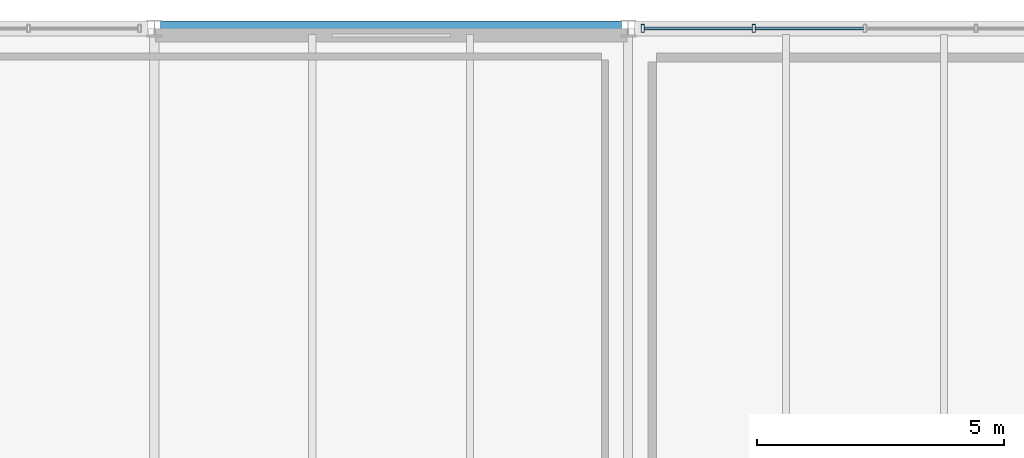
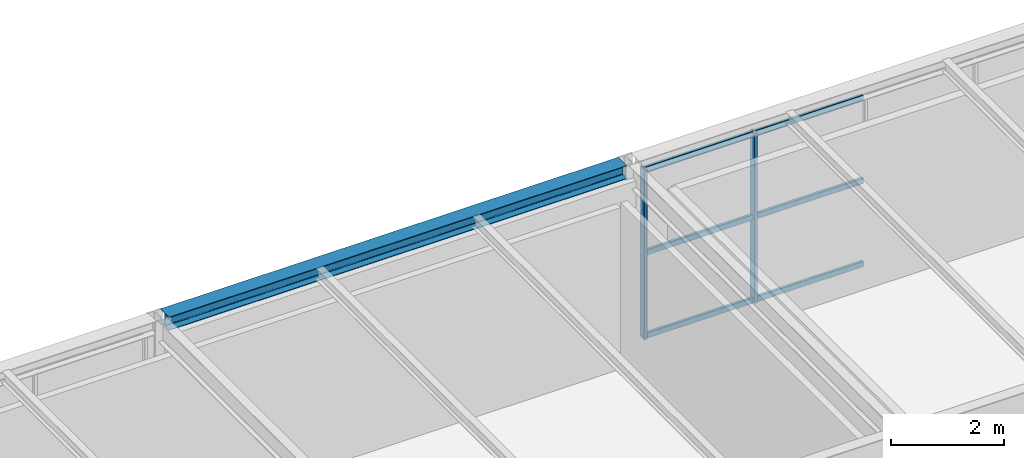
# One storey, part 75 of 126: 8 members, 1 beam, 1 element without a shape of its own.
"""IFC4 building model written with IfcOpenShell, lengths in metres."""

from ifc_helpers import new_model, si_unit, direction, frame, origin, origin_2d, place, context, subcontext, project, spatial, hollow_rectangle, i_section, extrude, material, material_profile, profile_set, type_object, element, aggregate, save


model = new_model("IFC4")

# Units and contexts
model_context = context("Model", 3, precision=1e-05, world=origin(), true_north=direction((0.0, 1.0)))
body_context = subcontext(model_context, "Body", "Model", "MODEL_VIEW")
ifc_project = project(units=[si_unit("LENGTHUNIT", "METRE"), si_unit("AREAUNIT", "SQUARE_METRE"), si_unit("VOLUMEUNIT", "CUBIC_METRE"), si_unit("PLANEANGLEUNIT", "RADIAN"), si_unit("MASSUNIT", "GRAM", prefix="KILO")], contexts=[model_context])

# Site, building, storey
site_placement = place(None, origin())
site = spatial("IfcSite", under=ifc_project, at=site_placement, CompositionType="ELEMENT")
building_placement = place(site_placement, origin())
building = spatial("IfcBuilding", under=site, at=building_placement, Name="Coralgate Yard Interchange", CompositionType="ELEMENT")
storey_placement = place(building_placement, frame((0.0, 0.0, 10.5)))
storey = spatial("IfcBuildingStorey", under=building, at=storey_placement, Name="L02", CompositionType="ELEMENT", Elevation=10.5)

# Beam
ifc_material_1 = material(Name="Structural steel S355J2", Category="steel")
ifc_material_profile_1 = material_profile(ifc_material_1, i_section(OverallWidth=0.300048828125, OverallDepth=0.2900390625, WebThickness=0.008544921875, FlangeThickness=0.013916015625, FilletRadius=0.027099609375, at=origin_2d()), Name="HEA 300")
ifc_profile_set_1 = profile_set([ifc_material_profile_1], Name="Structural steel S355J2")
beam_type = type_object("IfcBeamType", Name="BM-SP-2", PredefinedType="SPANDREL", material=ifc_profile_set_1)
beam_placement = place(storey_placement, frame((48.127197265625, 96.0, 3.804931640625), z_axis=(1.0, 0.0, 0.0), x_axis=(0.0, 1.0, 0.0)))
element("IfcBeam", 1, at=beam_placement, inside=storey, type_object=beam_type, Name="L02 primary grid beam Y10 X5-6", PredefinedType="SPANDREL", context=body_context, shape_type="SweptSolid", body=[
    extrude(i_section(OverallWidth=0.300048828125, OverallDepth=0.2900390625, WebThickness=0.008544921875, FlangeThickness=0.013916015625, FilletRadius=0.027099609375, at=origin_2d()), origin(), (0.0, 0.0, 1.0), 9.345458984375),
])

# Curtain wall, members
ifc_material_2 = material(Name="Anodised coastal aluminium and solar-control low-E glass", Category="aluminium")
curtain_wall_type = type_object("IfcCurtainWallType", Name="CW-CW-L02-A", PredefinedType="NOTDEFINED", material=ifc_material_2)
curtain_wall_placement = place(storey_placement, origin())
curtain_wall = element("IfcCurtainWall", 2, at=curtain_wall_placement, inside=storey, type_object=curtain_wall_type, Name="L02 unitised curtain wall CW-L02-N-06-09", PredefinedType="NOTDEFINED")
ifc_material_3 = material(Name="Anodised coastal aluminium 6063-T6", Category="aluminium")
ifc_material_profile_2 = material_profile(ifc_material_3, hollow_rectangle(XDim=0.06494140625, YDim=0.159912109375, WallThickness=0.00390625, InnerFilletRadius=0.00390625, OuterFilletRadius=0.008056640625, at=origin_2d()), Name="ALU 65x160x4")
ifc_profile_set_2 = profile_set([ifc_material_profile_2], Name="Anodised coastal aluminium 6063-T6")
member_type_1 = type_object("IfcMemberType", Name="MB-MUL-160", PredefinedType="MULLION", material=ifc_profile_set_2)
member_1_placement = place(storey_placement, frame((57.89990234375, 96.0, 0.0), z_axis=(0.0, 0.0, 1.0), x_axis=(1.0, 0.0, 0.0)))
member_1 = element("IfcMember", 3, at=member_1_placement, type_object=member_type_1, Name="CW-L02-N-06-09 vertical mullion 1", PredefinedType="MULLION", context=body_context, shape_type="SweptSolid", body=[
    extrude(hollow_rectangle(XDim=0.06494140625, YDim=0.159912109375, WallThickness=0.00390625, InnerFilletRadius=0.00390625, OuterFilletRadius=0.008056640625, at=origin_2d()), origin(), (0.0, 0.0, 1.0), 3.659912109375),
])
member_2_placement = place(storey_placement, frame((60.14990234375, 96.0, 0.0), z_axis=(0.0, 0.0, 1.0), x_axis=(1.0, 0.0, 0.0)))
member_2 = element("IfcMember", 4, at=member_2_placement, type_object=member_type_1, Name="CW-L02-N-06-09 vertical mullion 2", PredefinedType="MULLION", context=body_context, shape_type="SweptSolid", body=[
    extrude(hollow_rectangle(XDim=0.06494140625, YDim=0.159912109375, WallThickness=0.00390625, InnerFilletRadius=0.00390625, OuterFilletRadius=0.008056640625, at=origin_2d()), origin(), (0.0, 0.0, 1.0), 3.659912109375),
])
ifc_material_profile_3 = material_profile(ifc_material_3, hollow_rectangle(XDim=0.06005859375, YDim=0.1201171875, WallThickness=0.00341796875, InnerFilletRadius=0.00341796875, OuterFilletRadius=0.007080078125, at=origin_2d()), Name="ALU 60x120x3.5")
ifc_profile_set_3 = profile_set([ifc_material_profile_3], Name="Anodised coastal aluminium 6063-T6")
member_type_2 = type_object("IfcMemberType", Name="MB-TRN-120", PredefinedType="USERDEFINED", material=ifc_profile_set_3)
member_3_placement = place(storey_placement, frame((57.929931640625, 96.0, 0.034912109375), z_axis=(1.0, 0.0, 0.0), x_axis=(0.0, 1.0, 0.0)))
member_3 = element("IfcMember", 5, at=member_3_placement, type_object=member_type_2, Name="CW-L02-N-06-09 horizontal transom 1-1", ObjectType="TRANSOM", PredefinedType="USERDEFINED", context=body_context, shape_type="SweptSolid", body=[
    extrude(hollow_rectangle(XDim=0.06005859375, YDim=0.1201171875, WallThickness=0.00341796875, InnerFilletRadius=0.00341796875, OuterFilletRadius=0.007080078125, at=origin_2d()), origin(), (0.0, 0.0, 1.0), 2.190185546875),
])
member_4_placement = place(storey_placement, frame((57.929931640625, 96.0, 1.830078125), z_axis=(1.0, 0.0, 0.0), x_axis=(0.0, 1.0, 0.0)))
member_4 = element("IfcMember", 6, at=member_4_placement, type_object=member_type_2, Name="CW-L02-N-06-09 horizontal transom 1-2", ObjectType="TRANSOM", PredefinedType="USERDEFINED", context=body_context, shape_type="SweptSolid", body=[
    extrude(hollow_rectangle(XDim=0.06005859375, YDim=0.1201171875, WallThickness=0.00341796875, InnerFilletRadius=0.00341796875, OuterFilletRadius=0.007080078125, at=origin_2d()), origin(), (0.0, 0.0, 1.0), 2.190185546875),
])
member_5_placement = place(storey_placement, frame((57.929931640625, 96.0, 3.625), z_axis=(1.0, 0.0, 0.0), x_axis=(0.0, 1.0, 0.0)))
member_5 = element("IfcMember", 7, at=member_5_placement, type_object=member_type_2, Name="CW-L02-N-06-09 horizontal transom 1-3", ObjectType="TRANSOM", PredefinedType="USERDEFINED", context=body_context, shape_type="SweptSolid", body=[
    extrude(hollow_rectangle(XDim=0.06005859375, YDim=0.1201171875, WallThickness=0.00341796875, InnerFilletRadius=0.00341796875, OuterFilletRadius=0.007080078125, at=origin_2d()), origin(), (0.0, 0.0, 1.0), 2.190185546875),
])
member_6_placement = place(storey_placement, frame((60.179931640625, 96.0, 0.034912109375), z_axis=(1.0, 0.0, 0.0), x_axis=(0.0, 1.0, 0.0)))
member_6 = element("IfcMember", 8, at=member_6_placement, type_object=member_type_2, Name="CW-L02-N-06-09 horizontal transom 2-1", ObjectType="TRANSOM", PredefinedType="USERDEFINED", context=body_context, shape_type="SweptSolid", body=[
    extrude(hollow_rectangle(XDim=0.06005859375, YDim=0.1201171875, WallThickness=0.00341796875, InnerFilletRadius=0.00341796875, OuterFilletRadius=0.007080078125, at=origin_2d()), origin(), (0.0, 0.0, 1.0), 2.190185546875),
])
member_7_placement = place(storey_placement, frame((60.179931640625, 96.0, 1.830078125), z_axis=(1.0, 0.0, 0.0), x_axis=(0.0, 1.0, 0.0)))
member_7 = element("IfcMember", 9, at=member_7_placement, type_object=member_type_2, Name="CW-L02-N-06-09 horizontal transom 2-2", ObjectType="TRANSOM", PredefinedType="USERDEFINED", context=body_context, shape_type="SweptSolid", body=[
    extrude(hollow_rectangle(XDim=0.06005859375, YDim=0.1201171875, WallThickness=0.00341796875, InnerFilletRadius=0.00341796875, OuterFilletRadius=0.007080078125, at=origin_2d()), origin(), (0.0, 0.0, 1.0), 2.190185546875),
])
member_8_placement = place(storey_placement, frame((60.179931640625, 96.0, 3.625), z_axis=(1.0, 0.0, 0.0), x_axis=(0.0, 1.0, 0.0)))
member_8 = element("IfcMember", 10, at=member_8_placement, type_object=member_type_2, Name="CW-L02-N-06-09 horizontal transom 2-3", ObjectType="TRANSOM", PredefinedType="USERDEFINED", context=body_context, shape_type="SweptSolid", body=[
    extrude(hollow_rectangle(XDim=0.06005859375, YDim=0.1201171875, WallThickness=0.00341796875, InnerFilletRadius=0.00341796875, OuterFilletRadius=0.007080078125, at=origin_2d()), origin(), (0.0, 0.0, 1.0), 2.190185546875),
])
aggregate(curtain_wall, [member_1, member_2, member_3, member_4, member_5, member_6, member_7, member_8])

save(model, "model.ifc")
